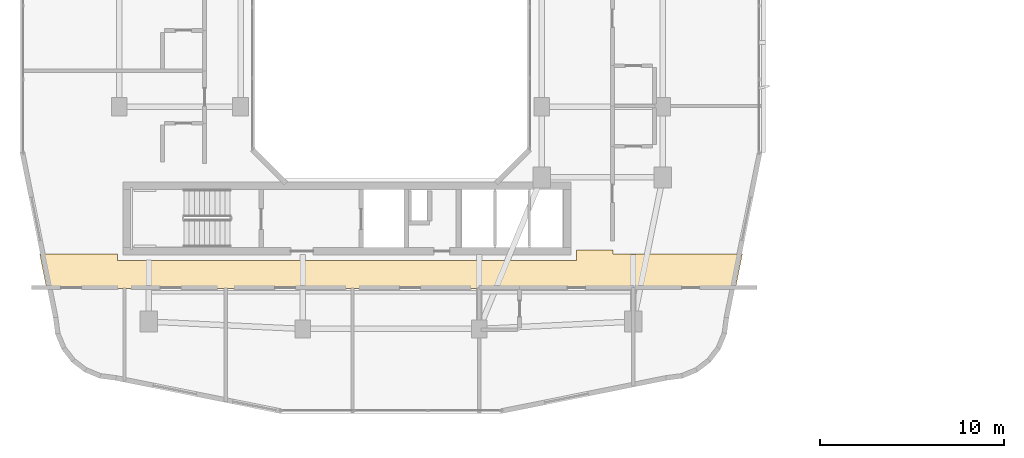
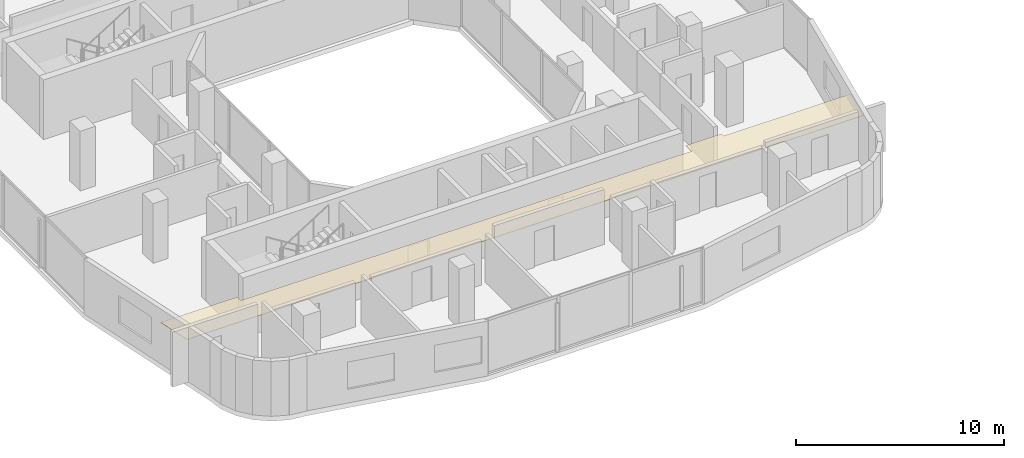
# One storey, part 23 of 26: 1 covering.
"""IFC4 building model written with IfcOpenShell, lengths in metres."""

from ifc_helpers import new_model, si_unit, derived_unit, direction, frame, origin, place, context, subcontext, project, spatial, polyline, outline, extrude, material, layer, layer_set, type_object, element, save


model = new_model("IFC4")

# Units and contexts
model_context = context("Model", 3, precision=1e-05, world=origin(), true_north=direction((0.0, 1.0)))
body_context = subcontext(model_context, "Body", "Model", "MODEL_VIEW")
ifc_project = project(units=[si_unit("LENGTHUNIT", "METRE"), si_unit("AREAUNIT", "SQUARE_METRE"), si_unit("VOLUMEUNIT", "CUBIC_METRE"), si_unit("PLANEANGLEUNIT", "RADIAN"), si_unit("MASSUNIT", "GRAM", prefix="KILO"), derived_unit("THERMALTRANSMITTANCEUNIT", [(si_unit("POWERUNIT", "WATT"), 1), (si_unit("LENGTHUNIT", "METRE"), -2), (si_unit("THERMODYNAMICTEMPERATUREUNIT", "KELVIN"), -1)])], contexts=[model_context])

# Site, building, storey
site_placement = place(None, origin())
site = spatial("IfcSite", under=ifc_project, at=site_placement, CompositionType="ELEMENT")
building_placement = place(site_placement, origin())
building = spatial("IfcBuilding", under=site, at=building_placement, Name="Kivonza Crest Hotel", CompositionType="ELEMENT")
storey_placement = place(building_placement, frame((0.0, 0.0, 109.0)))
storey = spatial("IfcBuildingStorey", under=building, at=storey_placement, Name="L29", CompositionType="ELEMENT", Elevation=109.0)

# Covering
ifc_material = material(Name="Mineral-fibre acoustic ceiling tile", Category="gypsum")
ifc_layer = layer(ifc_material, 0.02490234375)
ifc_layer_set = layer_set([ifc_layer], Name="Mineral-fibre acoustic ceiling tile")
covering_type = type_object("IfcCoveringType", Name="CV-CEIL-ACOU", PredefinedType="CEILING", material=ifc_layer_set)
covering_placement = place(storey_placement, frame((0.0, 0.0, 2.449951171875)))
element("IfcCovering", 1, at=covering_placement, inside=storey, type_object=covering_type, Name="L29 Hotel South Guest Corridor suspended ceiling", PredefinedType="CEILING", context=body_context, shape_type="SweptSolid", body=[
    extrude(outline(polyline([(33.090087890625, 13.47998046875), (33.090087890625, 13.68994140625), (31.10009765625, 13.68994140625), (31.10009765625, 13.139892578125), (6.10009765625, 13.139892578125), (6.10009765625, 13.47998046875), (1.85791015625, 13.47998046875), (2.235107421875, 11.610107421875), (39.764892578125, 11.610107421875), (40.14208984375, 13.47998046875), (33.090087890625, 13.47998046875)])), origin(), (0.0, 0.0, 1.0), 0.025146484375),
])

save(model, "model.ifc")
